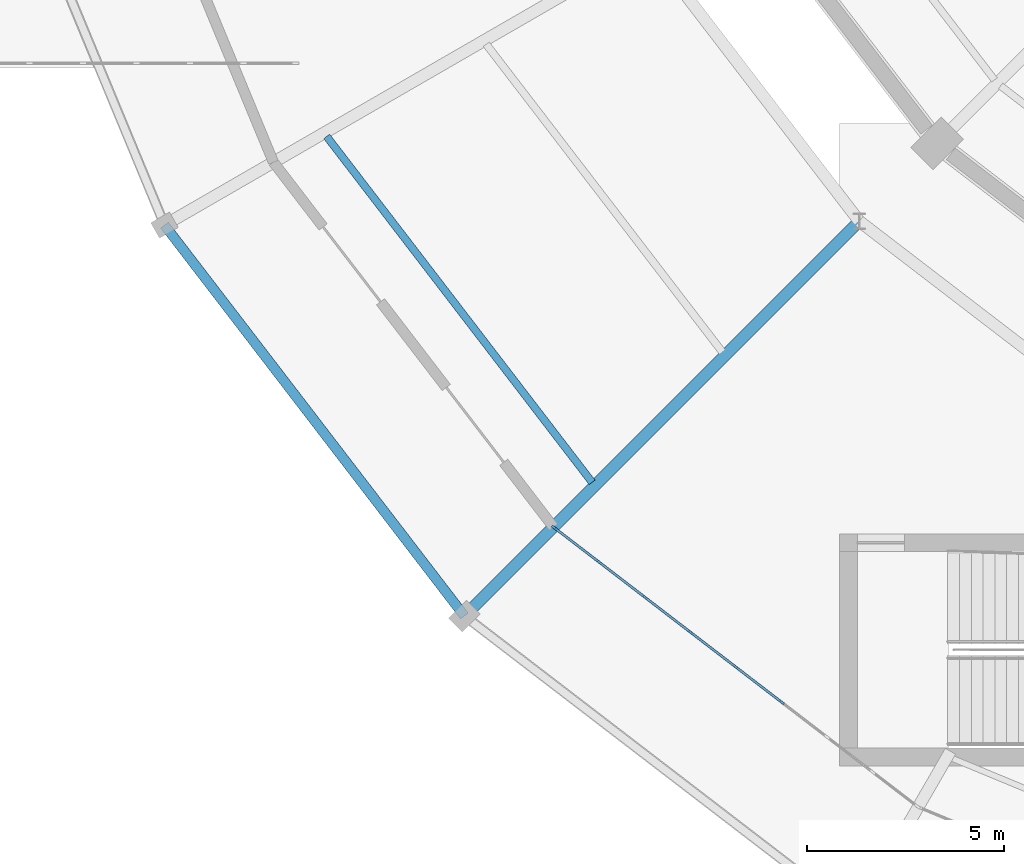
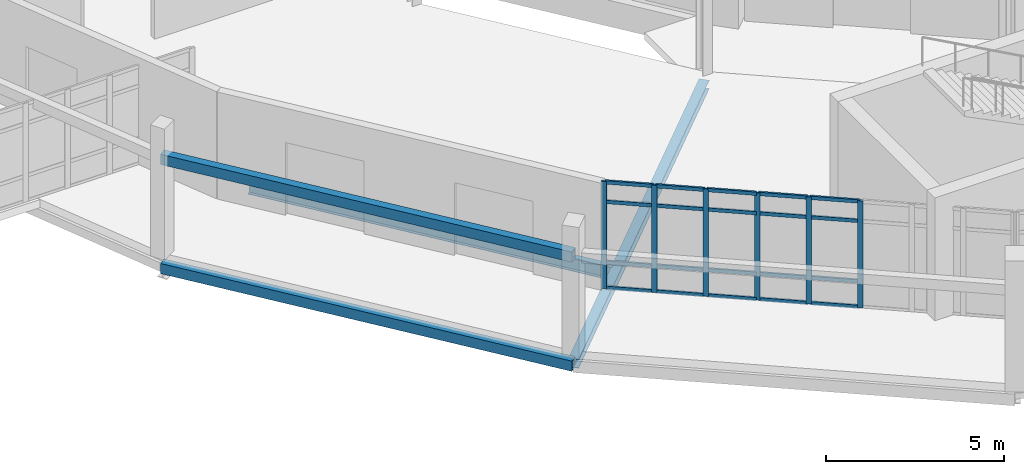
# One storey, part 31 of 122: 26 members, 4 beams, 1 element without a shape of its own.
"""IFC4 building model written with IfcOpenShell, lengths in metres."""

from ifc_helpers import new_model, si_unit, direction, frame, origin, origin_2d, place, context, subcontext, project, spatial, rectangle, hollow_rectangle, i_section, extrude, material, layer, layer_set, material_profile, profile_set, type_object, element, aggregate, save


model = new_model("IFC4")

# Units and contexts
model_context = context("Model", 3, precision=1e-05, world=origin(), true_north=direction((0.0, 1.0)))
body_context = subcontext(model_context, "Body", "Model", "MODEL_VIEW")
ifc_project = project(units=[si_unit("LENGTHUNIT", "METRE"), si_unit("AREAUNIT", "SQUARE_METRE"), si_unit("VOLUMEUNIT", "CUBIC_METRE"), si_unit("PLANEANGLEUNIT", "RADIAN"), si_unit("MASSUNIT", "GRAM", prefix="KILO")], contexts=[model_context])

# Site, building, storey
site_placement = place(None, origin())
site = spatial("IfcSite", under=ifc_project, at=site_placement, CompositionType="ELEMENT")
building_placement = place(site_placement, origin())
building = spatial("IfcBuilding", under=site, at=building_placement, Name="Sohan Crest Arena", CompositionType="ELEMENT")
storey_placement = place(building_placement, origin())
storey = spatial("IfcBuildingStorey", under=building, at=storey_placement, Name="L00", CompositionType="ELEMENT", Elevation=0.0)

# Curtain wall, members
ifc_material_1 = material(Name="Thermally broken anodised aluminium", Category="aluminium")
ifc_layer = layer(ifc_material_1, 0.179931640625, Name="Thermally broken anodised aluminium")
ifc_layer_set = layer_set([ifc_layer], Name="Thermally broken anodised aluminium")
curtain_wall_type = type_object("IfcCurtainWallType", Name="ARC-CW01", PredefinedType="NOTDEFINED", material=ifc_layer_set)
curtain_wall_placement = place(storey_placement, origin())
curtain_wall = element("IfcCurtainWall", 1, at=curtain_wall_placement, inside=storey, type_object=curtain_wall_type, Name="Unitised curtain wall CW-005", PredefinedType="NOTDEFINED")
ifc_material_profile_1 = material_profile(ifc_material_1, rectangle(XDim=0.06005859375, YDim=0.159912109375, at=origin_2d()), Name="ALU-MULL 60x160")
ifc_profile_set_1 = profile_set([ifc_material_profile_1], Name="Thermally broken anodised aluminium")
member_type_1 = type_object("IfcMemberType", Name="ARC-CW-ML01", PredefinedType="MULLION", material=ifc_profile_set_1)
member_1_placement = place(storey_placement, frame((66.345703125, 46.3037109375, 0.0), z_axis=(0.0, 0.0, 1.0), x_axis=(0.608801264741, 0.79332277167, 0.0)))
member_1 = element("IfcMember", 2, at=member_1_placement, type_object=member_type_1, Name="CW-005 mullion 1", PredefinedType="MULLION", context=body_context, shape_type="SweptSolid", body=[
    extrude(rectangle(XDim=0.06005859375, YDim=0.159912109375, at=origin_2d()), origin(), (0.0, 0.0, 1.0), 3.679931640625),
])
member_2_placement = place(storey_placement, frame((67.481689453125, 45.431884765625, 0.0), z_axis=(0.0, 0.0, 1.0), x_axis=(0.608801264741, 0.79332277167, 0.0)))
member_2 = element("IfcMember", 3, at=member_2_placement, type_object=member_type_1, Name="CW-005 mullion 2", PredefinedType="MULLION", context=body_context, shape_type="SweptSolid", body=[
    extrude(rectangle(XDim=0.06005859375, YDim=0.159912109375, at=origin_2d()), origin(), (0.0, 0.0, 1.0), 3.679931640625),
])
member_3_placement = place(storey_placement, frame((68.6416015625, 44.5419921875, 0.0), z_axis=(0.0, 0.0, 1.0), x_axis=(0.608801264741, 0.79332277167, 0.0)))
member_3 = element("IfcMember", 4, at=member_3_placement, type_object=member_type_1, Name="CW-005 mullion 3", PredefinedType="MULLION", context=body_context, shape_type="SweptSolid", body=[
    extrude(rectangle(XDim=0.06005859375, YDim=0.159912109375, at=origin_2d()), origin(), (0.0, 0.0, 1.0), 3.679931640625),
])
member_4_placement = place(storey_placement, frame((69.80126953125, 43.652099609375, 0.0), z_axis=(0.0, 0.0, 1.0), x_axis=(0.608801264741, 0.79332277167, 0.0)))
member_4 = element("IfcMember", 5, at=member_4_placement, type_object=member_type_1, Name="CW-005 mullion 4", PredefinedType="MULLION", context=body_context, shape_type="SweptSolid", body=[
    extrude(rectangle(XDim=0.06005859375, YDim=0.159912109375, at=origin_2d()), origin(), (0.0, 0.0, 1.0), 3.679931640625),
])
member_5_placement = place(storey_placement, frame((70.9609375, 42.761962890625, 0.0), z_axis=(0.0, 0.0, 1.0), x_axis=(0.608801264741, 0.79332277167, 0.0)))
member_5 = element("IfcMember", 6, at=member_5_placement, type_object=member_type_1, Name="CW-005 mullion 5", PredefinedType="MULLION", context=body_context, shape_type="SweptSolid", body=[
    extrude(rectangle(XDim=0.06005859375, YDim=0.159912109375, at=origin_2d()), origin(), (0.0, 0.0, 1.0), 3.679931640625),
])
member_6_placement = place(storey_placement, frame((72.120849609375, 41.8720703125, 0.0), z_axis=(0.0, 0.0, 1.0), x_axis=(0.608801264741, 0.79332277167, 0.0)))
member_6 = element("IfcMember", 7, at=member_6_placement, type_object=member_type_1, Name="CW-005 mullion 6", PredefinedType="MULLION", context=body_context, shape_type="SweptSolid", body=[
    extrude(rectangle(XDim=0.06005859375, YDim=0.159912109375, at=origin_2d()), origin(), (0.0, 0.0, 1.0), 3.679931640625),
])
ifc_material_profile_2 = material_profile(ifc_material_1, rectangle(XDim=0.06005859375, YDim=0.1201171875, at=origin_2d()), Name="ALU-TRAN 60x120")
ifc_profile_set_2 = profile_set([ifc_material_profile_2], Name="Thermally broken anodised aluminium")
member_type_2 = type_object("IfcMemberType", Name="ARC-CW-TR01", PredefinedType="USERDEFINED", material=ifc_profile_set_2)
member_7_placement = place(storey_placement, frame((66.36962890625, 46.285400390625, 0.030029296875), z_axis=(0.793331312745, -0.608790134791, 0.0), x_axis=(0.608790134791, 0.793331312745, 0.0)))
member_7 = element("IfcMember", 8, at=member_7_placement, type_object=member_type_2, Name="CW-005 transom 1.1", ObjectType="TRANSOM", PredefinedType="USERDEFINED", context=body_context, shape_type="SweptSolid", body=[
    extrude(rectangle(XDim=0.06005859375, YDim=0.1201171875, at=origin_2d()), origin(), (0.0, 0.0, 1.0), 1.371826171875),
])
member_8_placement = place(storey_placement, frame((66.36962890625, 46.285400390625, 0.89990234375), z_axis=(0.793331312745, -0.608790134791, 0.0), x_axis=(0.608790134791, 0.793331312745, 0.0)))
member_8 = element("IfcMember", 9, at=member_8_placement, type_object=member_type_2, Name="CW-005 transom 1.2", ObjectType="TRANSOM", PredefinedType="USERDEFINED", context=body_context, shape_type="SweptSolid", body=[
    extrude(rectangle(XDim=0.06005859375, YDim=0.1201171875, at=origin_2d()), origin(), (0.0, 0.0, 1.0), 1.371826171875),
])
member_9_placement = place(storey_placement, frame((66.36962890625, 46.285400390625, 2.97998046875), z_axis=(0.793331312745, -0.608790134791, 0.0), x_axis=(0.608790134791, 0.793331312745, 0.0)))
member_9 = element("IfcMember", 10, at=member_9_placement, type_object=member_type_2, Name="CW-005 transom 1.3", ObjectType="TRANSOM", PredefinedType="USERDEFINED", context=body_context, shape_type="SweptSolid", body=[
    extrude(rectangle(XDim=0.06005859375, YDim=0.1201171875, at=origin_2d()), origin(), (0.0, 0.0, 1.0), 1.371826171875),
])
member_10_placement = place(storey_placement, frame((66.36962890625, 46.285400390625, 3.64990234375), z_axis=(0.793331312745, -0.608790134791, 0.0), x_axis=(0.608790134791, 0.793331312745, 0.0)))
member_10 = element("IfcMember", 11, at=member_10_placement, type_object=member_type_2, Name="CW-005 transom 1.4", ObjectType="TRANSOM", PredefinedType="USERDEFINED", context=body_context, shape_type="SweptSolid", body=[
    extrude(rectangle(XDim=0.06005859375, YDim=0.1201171875, at=origin_2d()), origin(), (0.0, 0.0, 1.0), 1.371826171875),
])
member_11_placement = place(storey_placement, frame((67.505615234375, 45.413818359375, 0.030029296875), z_axis=(0.793283895434, -0.608851920623, 0.0), x_axis=(0.608851920623, 0.793283895434, 0.0)))
member_11 = element("IfcMember", 12, at=member_11_placement, type_object=member_type_2, Name="CW-005 transom 2.1", ObjectType="TRANSOM", PredefinedType="USERDEFINED", context=body_context, shape_type="SweptSolid", body=[
    extrude(rectangle(XDim=0.06005859375, YDim=0.1201171875, at=origin_2d()), origin(), (0.0, 0.0, 1.0), 1.40185546875),
])
member_12_placement = place(storey_placement, frame((67.505615234375, 45.413818359375, 0.89990234375), z_axis=(0.793283895434, -0.608851920623, 0.0), x_axis=(0.608851920623, 0.793283895434, 0.0)))
member_12 = element("IfcMember", 13, at=member_12_placement, type_object=member_type_2, Name="CW-005 transom 2.2", ObjectType="TRANSOM", PredefinedType="USERDEFINED", context=body_context, shape_type="SweptSolid", body=[
    extrude(rectangle(XDim=0.06005859375, YDim=0.1201171875, at=origin_2d()), origin(), (0.0, 0.0, 1.0), 1.40185546875),
])
member_13_placement = place(storey_placement, frame((67.505615234375, 45.413818359375, 2.97998046875), z_axis=(0.793283895434, -0.608851920623, 0.0), x_axis=(0.608851920623, 0.793283895434, 0.0)))
member_13 = element("IfcMember", 14, at=member_13_placement, type_object=member_type_2, Name="CW-005 transom 2.3", ObjectType="TRANSOM", PredefinedType="USERDEFINED", context=body_context, shape_type="SweptSolid", body=[
    extrude(rectangle(XDim=0.06005859375, YDim=0.1201171875, at=origin_2d()), origin(), (0.0, 0.0, 1.0), 1.40185546875),
])
member_14_placement = place(storey_placement, frame((67.505615234375, 45.413818359375, 3.64990234375), z_axis=(0.793283895434, -0.608851920623, 0.0), x_axis=(0.608851920623, 0.793283895434, 0.0)))
member_14 = element("IfcMember", 15, at=member_14_placement, type_object=member_type_2, Name="CW-005 transom 2.4", ObjectType="TRANSOM", PredefinedType="USERDEFINED", context=body_context, shape_type="SweptSolid", body=[
    extrude(rectangle(XDim=0.06005859375, YDim=0.1201171875, at=origin_2d()), origin(), (0.0, 0.0, 1.0), 1.40185546875),
])
member_15_placement = place(storey_placement, frame((68.665283203125, 44.523681640625, 0.030029296875), z_axis=(0.793283895434, -0.608851920623, 0.0), x_axis=(0.608851920623, 0.793283895434, 0.0)))
member_15 = element("IfcMember", 16, at=member_15_placement, type_object=member_type_2, Name="CW-005 transom 3.1", ObjectType="TRANSOM", PredefinedType="USERDEFINED", context=body_context, shape_type="SweptSolid", body=[
    extrude(rectangle(XDim=0.06005859375, YDim=0.1201171875, at=origin_2d()), origin(), (0.0, 0.0, 1.0), 1.40185546875),
])
member_16_placement = place(storey_placement, frame((68.665283203125, 44.523681640625, 0.89990234375), z_axis=(0.793283895434, -0.608851920623, 0.0), x_axis=(0.608851920623, 0.793283895434, 0.0)))
member_16 = element("IfcMember", 17, at=member_16_placement, type_object=member_type_2, Name="CW-005 transom 3.2", ObjectType="TRANSOM", PredefinedType="USERDEFINED", context=body_context, shape_type="SweptSolid", body=[
    extrude(rectangle(XDim=0.06005859375, YDim=0.1201171875, at=origin_2d()), origin(), (0.0, 0.0, 1.0), 1.40185546875),
])
member_17_placement = place(storey_placement, frame((68.665283203125, 44.523681640625, 2.97998046875), z_axis=(0.793283895434, -0.608851920623, 0.0), x_axis=(0.608851920623, 0.793283895434, 0.0)))
member_17 = element("IfcMember", 18, at=member_17_placement, type_object=member_type_2, Name="CW-005 transom 3.3", ObjectType="TRANSOM", PredefinedType="USERDEFINED", context=body_context, shape_type="SweptSolid", body=[
    extrude(rectangle(XDim=0.06005859375, YDim=0.1201171875, at=origin_2d()), origin(), (0.0, 0.0, 1.0), 1.40185546875),
])
member_18_placement = place(storey_placement, frame((68.665283203125, 44.523681640625, 3.64990234375), z_axis=(0.793283895434, -0.608851920623, 0.0), x_axis=(0.608851920623, 0.793283895434, 0.0)))
member_18 = element("IfcMember", 19, at=member_18_placement, type_object=member_type_2, Name="CW-005 transom 3.4", ObjectType="TRANSOM", PredefinedType="USERDEFINED", context=body_context, shape_type="SweptSolid", body=[
    extrude(rectangle(XDim=0.06005859375, YDim=0.1201171875, at=origin_2d()), origin(), (0.0, 0.0, 1.0), 1.40185546875),
])
member_19_placement = place(storey_placement, frame((69.824951171875, 43.6337890625, 0.030029296875), z_axis=(0.793348442071, -0.608767812441, 0.0), x_axis=(0.608767812441, 0.793348442071, 0.0)))
member_19 = element("IfcMember", 20, at=member_19_placement, type_object=member_type_2, Name="CW-005 transom 4.1", ObjectType="TRANSOM", PredefinedType="USERDEFINED", context=body_context, shape_type="SweptSolid", body=[
    extrude(rectangle(XDim=0.06005859375, YDim=0.1201171875, at=origin_2d()), origin(), (0.0, 0.0, 1.0), 1.402099609375),
])
member_20_placement = place(storey_placement, frame((69.824951171875, 43.6337890625, 0.89990234375), z_axis=(0.793348442071, -0.608767812441, 0.0), x_axis=(0.608767812441, 0.793348442071, 0.0)))
member_20 = element("IfcMember", 21, at=member_20_placement, type_object=member_type_2, Name="CW-005 transom 4.2", ObjectType="TRANSOM", PredefinedType="USERDEFINED", context=body_context, shape_type="SweptSolid", body=[
    extrude(rectangle(XDim=0.06005859375, YDim=0.1201171875, at=origin_2d()), origin(), (0.0, 0.0, 1.0), 1.402099609375),
])
member_21_placement = place(storey_placement, frame((69.824951171875, 43.6337890625, 2.97998046875), z_axis=(0.793348442071, -0.608767812441, 0.0), x_axis=(0.608767812441, 0.793348442071, 0.0)))
member_21 = element("IfcMember", 22, at=member_21_placement, type_object=member_type_2, Name="CW-005 transom 4.3", ObjectType="TRANSOM", PredefinedType="USERDEFINED", context=body_context, shape_type="SweptSolid", body=[
    extrude(rectangle(XDim=0.06005859375, YDim=0.1201171875, at=origin_2d()), origin(), (0.0, 0.0, 1.0), 1.402099609375),
])
member_22_placement = place(storey_placement, frame((69.824951171875, 43.6337890625, 3.64990234375), z_axis=(0.793348442071, -0.608767812441, 0.0), x_axis=(0.608767812441, 0.793348442071, 0.0)))
member_22 = element("IfcMember", 23, at=member_22_placement, type_object=member_type_2, Name="CW-005 transom 4.4", ObjectType="TRANSOM", PredefinedType="USERDEFINED", context=body_context, shape_type="SweptSolid", body=[
    extrude(rectangle(XDim=0.06005859375, YDim=0.1201171875, at=origin_2d()), origin(), (0.0, 0.0, 1.0), 1.402099609375),
])
member_23_placement = place(storey_placement, frame((70.98486328125, 42.74365234375, 0.030029296875), z_axis=(0.793368013161, -0.608742306476, 0.0), x_axis=(0.608742306476, 0.793368013161, 0.0)))
member_23 = element("IfcMember", 24, at=member_23_placement, type_object=member_type_2, Name="CW-005 transom 5.1", ObjectType="TRANSOM", PredefinedType="USERDEFINED", context=body_context, shape_type="SweptSolid", body=[
    extrude(rectangle(XDim=0.06005859375, YDim=0.1201171875, at=origin_2d()), origin(), (0.0, 0.0, 1.0), 1.401611328125),
])
member_24_placement = place(storey_placement, frame((70.98486328125, 42.74365234375, 0.89990234375), z_axis=(0.793368013161, -0.608742306476, 0.0), x_axis=(0.608742306476, 0.793368013161, 0.0)))
member_24 = element("IfcMember", 25, at=member_24_placement, type_object=member_type_2, Name="CW-005 transom 5.2", ObjectType="TRANSOM", PredefinedType="USERDEFINED", context=body_context, shape_type="SweptSolid", body=[
    extrude(rectangle(XDim=0.06005859375, YDim=0.1201171875, at=origin_2d()), origin(), (0.0, 0.0, 1.0), 1.401611328125),
])
member_25_placement = place(storey_placement, frame((70.98486328125, 42.74365234375, 2.97998046875), z_axis=(0.793368013161, -0.608742306476, 0.0), x_axis=(0.608742306476, 0.793368013161, 0.0)))
member_25 = element("IfcMember", 26, at=member_25_placement, type_object=member_type_2, Name="CW-005 transom 5.3", ObjectType="TRANSOM", PredefinedType="USERDEFINED", context=body_context, shape_type="SweptSolid", body=[
    extrude(rectangle(XDim=0.06005859375, YDim=0.1201171875, at=origin_2d()), origin(), (0.0, 0.0, 1.0), 1.401611328125),
])
member_26_placement = place(storey_placement, frame((70.98486328125, 42.74365234375, 3.64990234375), z_axis=(0.793368013161, -0.608742306476, 0.0), x_axis=(0.608742306476, 0.793368013161, 0.0)))
member_26 = element("IfcMember", 27, at=member_26_placement, type_object=member_type_2, Name="CW-005 transom 5.4", ObjectType="TRANSOM", PredefinedType="USERDEFINED", context=body_context, shape_type="SweptSolid", body=[
    extrude(rectangle(XDim=0.06005859375, YDim=0.1201171875, at=origin_2d()), origin(), (0.0, 0.0, 1.0), 1.401611328125),
])
aggregate(curtain_wall, [member_1, member_2, member_3, member_4, member_5, member_6, member_7, member_8, member_9, member_10, member_11, member_12, member_13, member_14, member_15, member_16, member_17, member_18, member_19, member_20, member_21, member_22, member_23, member_24, member_25, member_26])

# Beams
ifc_material_2 = material(Name="Steel S355", Category="steel")
ifc_material_profile_3 = material_profile(ifc_material_2, i_section(OverallWidth=0.18994140625, OverallDepth=0.449951171875, WebThickness=0.009521484375, FlangeThickness=0.0146484375, at=origin_2d()), Name="IPE 450")
ifc_profile_set_3 = profile_set([ifc_material_profile_3], Name="Steel S355")
beam_type_1 = type_object("IfcBeamType", Name="STR-BM-B04", PredefinedType="JOIST", material=ifc_profile_set_3)
beam_1_placement = place(storey_placement, frame((60.555908203125, 56.256103515625, -0.5), z_axis=(0.608788813613, -0.793332326594, 0.0), x_axis=(0.793332326594, 0.608788813613, 0.0)))
element("IfcBeam", 28, at=beam_1_placement, inside=storey, type_object=beam_type_1, Name="Structural beam J-L00-0945", PredefinedType="JOIST", context=body_context, shape_type="SweptSolid", body=[
    extrude(i_section(OverallWidth=0.18994140625, OverallDepth=0.449951171875, WebThickness=0.009521484375, FlangeThickness=0.0146484375, at=origin_2d()), origin(), (0.0, 0.0, 1.0), 11.087646484375),
])
ifc_material_profile_4 = material_profile(ifc_material_2, i_section(OverallWidth=0.300048828125, OverallDepth=0.300048828125, WebThickness=0.010986328125, FlangeThickness=0.01904296875, at=origin_2d()), Name="HEB 300")
ifc_profile_set_4 = profile_set([ifc_material_profile_4], Name="Steel S355")
beam_type_2 = type_object("IfcBeamType", Name="STR-BM-B12", PredefinedType="BEAM", material=ifc_profile_set_4)
beam_2_placement = place(storey_placement, frame((74.10009765625, 54.10009765625, -0.425048828125), z_axis=(-0.707106781187, -0.707106781187, 0.0), x_axis=(0.707106781187, -0.707106781187, 0.0)))
element("IfcBeam", 29, at=beam_2_placement, inside=storey, type_object=beam_type_2, Name="Structural beam G-L00-0946", PredefinedType="BEAM", context=body_context, shape_type="SweptSolid", body=[
    extrude(i_section(OverallWidth=0.300048828125, OverallDepth=0.300048828125, WebThickness=0.010986328125, FlangeThickness=0.01904296875, at=origin_2d()), origin(), (0.0, 0.0, 1.0), 14.2001953125),
])
ifc_material_profile_5 = material_profile(ifc_material_2, hollow_rectangle(XDim=0.25, YDim=0.35009765625, WallThickness=0.012451171875, at=origin_2d()), Name="RHS 350x250x12.5")
ifc_profile_set_5 = profile_set([ifc_material_profile_5], Name="Steel S355")
beam_type_3 = type_object("IfcBeamType", Name="STR-BM-SP04", PredefinedType="SPANDREL", material=ifc_profile_set_5)
for number, where, z_axis, x_axis, name in (
    (30, (56.430908203125, 54.0, -0.449951171875), (0.608773443368, -0.793344121205, 0.0), (0.793344121205, 0.608773443368, 0.0), "Structural beam SP-L00-0942"),
    (31, (56.430908203125, 54.0, 3.300048828125), (0.608773443368, -0.793344121205, 0.0), (0.793344121205, 0.608773443368, 0.0), "Structural beam ARC-L00-0943"),
):
    element("IfcBeam", number, at=place(storey_placement, frame(where, z_axis=z_axis, x_axis=x_axis)), inside=storey, type_object=beam_type_3, Name=name, PredefinedType="SPANDREL", context=body_context, shape_type="SweptSolid", body=[
        extrude(hollow_rectangle(XDim=0.25, YDim=0.35009765625, WallThickness=0.012451171875, at=origin_2d()), origin(), (0.0, 0.0, 1.0), 12.530517578125),
    ])

save(model, "model.ifc")
